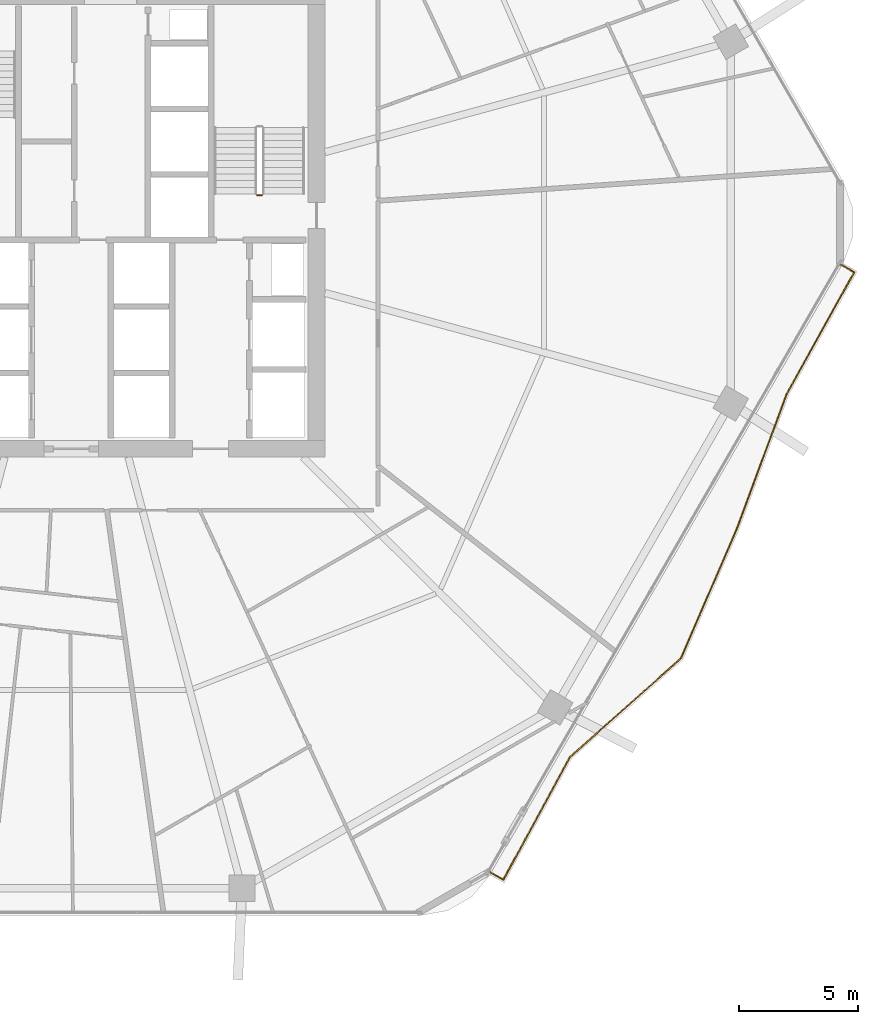
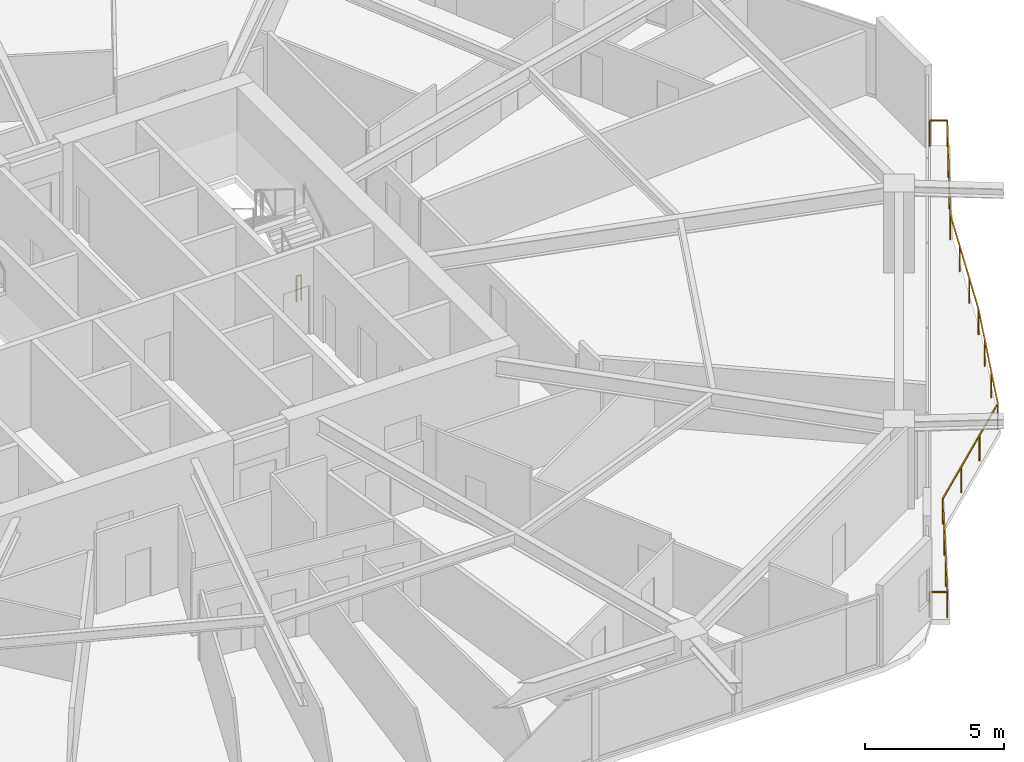
# One storey, part 31 of 33: 2 railings.
"""IFC4 building model written with IfcOpenShell, lengths in metres."""

from ifc_helpers import new_model, si_unit, direction, frame, origin, origin_2d, place, context, subcontext, project, spatial, rectangle, extrude, material, type_object, element, save


model = new_model("IFC4")

# Units and contexts
model_context = context("Model", 3, precision=1e-05, world=origin(), true_north=direction((0.0, 1.0)))
body_context = subcontext(model_context, "Body", "Model", "MODEL_VIEW")
ifc_project = project(units=[si_unit("LENGTHUNIT", "METRE"), si_unit("AREAUNIT", "SQUARE_METRE"), si_unit("VOLUMEUNIT", "CUBIC_METRE"), si_unit("PLANEANGLEUNIT", "RADIAN"), si_unit("MASSUNIT", "GRAM", prefix="KILO")], contexts=[model_context])

# Site, building, storey
site_placement = place(None, origin())
site = spatial("IfcSite", under=ifc_project, at=site_placement, CompositionType="ELEMENT")
building_placement = place(site_placement, origin())
building = spatial("IfcBuilding", under=site, at=building_placement, Name="Zuhravey Tower", CompositionType="ELEMENT")
storey_placement = place(building_placement, frame((0.0, 0.0, 96.199951171875)))
storey = spatial("IfcBuildingStorey", under=building, at=storey_placement, Name="L23", CompositionType="ELEMENT", Elevation=96.199951171875)

# Railings
ifc_material_1 = material(Name="Stainless steel 316 and laminated glass", Category="steel")
railing_type_1 = type_object("IfcRailingType", Name="Balcony & Terrace Guardrail 1150", PredefinedType="BALUSTRADE", material=ifc_material_1)
railing_1_placement = place(storey_placement, frame((68.5166015625, 30.2333984375, 0.0)))
element("IfcRailing", 1, at=railing_1_placement, inside=storey, type_object=railing_type_1, Name="L23 Face 6 Wave Balcony Guardrail GR1", PredefinedType="BALUSTRADE", context=body_context, shape_type="SweptSolid", body=[
    extrude(rectangle(XDim=0.048095703125, YDim=0.048095703125, at=origin_2d()), frame((0.001708984375, -0.0009765625, 1.1259765625), z_axis=(0.866033512162, -0.499985955615, 0.0), x_axis=(0.499985955615, 0.866033512162, 0.0)), (0.0, 0.0, 1.0), 0.6376953125),
    extrude(rectangle(XDim=0.048095703125, YDim=0.048095703125, at=origin_2d()), frame((0.5546875, -0.322509765625, 1.1259765625), z_axis=(-0.485217057802, -0.874393736722, 0.0), x_axis=(0.874393736722, -0.485217057802, 0.0)), (0.0, 0.0, 1.0), 5.837646484375),
    extrude(rectangle(XDim=0.048095703125, YDim=0.048095703125, at=origin_2d()), frame((-2.279541015625, -5.4306640625, 1.1259765625), z_axis=(-0.346805985574, -0.937936889332, 0.0), x_axis=(0.937936889332, -0.346805985574, 0.0)), (0.0, 0.0, 1.0), 6.0185546875),
    extrude(rectangle(XDim=0.048095703125, YDim=0.048095703125, at=origin_2d()), frame((-4.3681640625, -11.079345703125, 1.1259765625), z_axis=(-0.396172552794, -0.91817607702, 0.0), x_axis=(0.91817607702, -0.396172552794, 0.0)), (0.0, 0.0, 1.0), 5.94287109375),
    extrude(rectangle(XDim=0.048095703125, YDim=0.048095703125, at=origin_2d()), frame((-6.724853515625, -16.538818359375, 1.1259765625), z_axis=(-0.747260461792, -0.66453126506, 0.0), x_axis=(0.66453126506, -0.747260461792, 0.0)), (0.0, 0.0, 1.0), 6.240478515625),
    extrude(rectangle(XDim=0.048095703125, YDim=0.048095703125, at=origin_2d()), frame((-11.390625, -20.68896484375, 1.1259765625), z_axis=(-0.476525198518, -0.879160813035, 0.0), x_axis=(0.879160813035, -0.476525198518, 0.0)), (0.0, 0.0, 1.0), 5.84423828125),
    extrude(rectangle(XDim=0.048095703125, YDim=0.048095703125, at=origin_2d()), frame((-14.17822265625, -25.827880859375, 1.1259765625), z_axis=(-0.866089912433, 0.499888251095, 0.0), x_axis=(-0.499888251095, -0.866089912433, 0.0)), (0.0, 0.0, 1.0), 0.63330078125),
    extrude(rectangle(XDim=0.0419921875, YDim=0.0419921875, at=origin_2d()), origin(), (0.0, 0.0, 1.0), 1.099853515625),
    extrude(rectangle(XDim=0.0419921875, YDim=0.0419921875, at=origin_2d()), frame((0.5556640625, -0.32080078125, 0.0)), (0.0, 0.0, 1.0), 1.099853515625),
    extrude(rectangle(XDim=0.0419921875, YDim=0.0419921875, at=origin_2d()), frame((-0.38916015625, -2.0234375, 0.0)), (0.0, 0.0, 1.0), 1.099853515625),
    extrude(rectangle(XDim=0.0419921875, YDim=0.0419921875, at=origin_2d()), frame((-1.333984375, -3.72607421875, 0.0)), (0.0, 0.0, 1.0), 1.099853515625),
    extrude(rectangle(XDim=0.0419921875, YDim=0.0419921875, at=origin_2d()), frame((-2.27880859375, -5.4287109375, 0.0)), (0.0, 0.0, 1.0), 1.099853515625),
    extrude(rectangle(XDim=0.0419921875, YDim=0.0419921875, at=origin_2d()), frame((-2.97509765625, -7.3115234375, 0.0)), (0.0, 0.0, 1.0), 1.099853515625),
    extrude(rectangle(XDim=0.0419921875, YDim=0.0419921875, at=origin_2d()), frame((-3.671142578125, -9.194580078125, 0.0)), (0.0, 0.0, 1.0), 1.099853515625),
    extrude(rectangle(XDim=0.0419921875, YDim=0.0419921875, at=origin_2d()), frame((-4.367431640625, -11.077392578125, 0.0)), (0.0, 0.0, 1.0), 1.099853515625),
    extrude(rectangle(XDim=0.0419921875, YDim=0.0419921875, at=origin_2d()), frame((-5.15283203125, -12.8974609375, 0.0)), (0.0, 0.0, 1.0), 1.099853515625),
    extrude(rectangle(XDim=0.0419921875, YDim=0.0419921875, at=origin_2d()), frame((-5.93798828125, -14.717529296875, 0.0)), (0.0, 0.0, 1.0), 1.099853515625),
    extrude(rectangle(XDim=0.0419921875, YDim=0.0419921875, at=origin_2d()), frame((-6.723388671875, -16.53759765625, 0.0)), (0.0, 0.0, 1.0), 1.099853515625),
    extrude(rectangle(XDim=0.0419921875, YDim=0.0419921875, at=origin_2d()), frame((-8.27880859375, -17.9208984375, 0.0)), (0.0, 0.0, 1.0), 1.099853515625),
    extrude(rectangle(XDim=0.0419921875, YDim=0.0419921875, at=origin_2d()), frame((-9.834228515625, -19.303955078125, 0.0)), (0.0, 0.0, 1.0), 1.099853515625),
    extrude(rectangle(XDim=0.0419921875, YDim=0.0419921875, at=origin_2d()), frame((-11.3896484375, -20.687255859375, 0.0)), (0.0, 0.0, 1.0), 1.099853515625),
    extrude(rectangle(XDim=0.0419921875, YDim=0.0419921875, at=origin_2d()), frame((-12.318603515625, -22.401123046875, 0.0)), (0.0, 0.0, 1.0), 1.099853515625),
    extrude(rectangle(XDim=0.0419921875, YDim=0.0419921875, at=origin_2d()), frame((-13.24755859375, -24.114990234375, 0.0)), (0.0, 0.0, 1.0), 1.099853515625),
    extrude(rectangle(XDim=0.0419921875, YDim=0.0419921875, at=origin_2d()), frame((-14.176513671875, -25.828857421875, 0.0)), (0.0, 0.0, 1.0), 1.099853515625),
    extrude(rectangle(XDim=0.0419921875, YDim=0.0419921875, at=origin_2d()), frame((-14.728515625, -25.51025390625, 0.0)), (0.0, 0.0, 1.0), 1.099853515625),
])
ifc_material_2 = material(Name="Painted tubular steel", Category="steel")
railing_type_2 = type_object("IfcRailingType", Name="Stair Well Guardrail 1150", PredefinedType="GUARDRAIL", material=ifc_material_2)
railing_2_placement = place(storey_placement, frame((44.199951171875, 33.14990234375, 0.0)))
element("IfcRailing", 2, at=railing_2_placement, inside=storey, type_object=railing_type_2, Name="L23 ST2 stair guard 4", PredefinedType="GUARDRAIL", context=body_context, shape_type="SweptSolid", body=[
    extrude(rectangle(XDim=0.048095703125, YDim=0.048095703125, at=origin_2d()), frame((-0.001953125, 0.0, 1.1259765625), z_axis=(-1.0, 0.0, 0.0), x_axis=(0.0, -1.0, 0.0)), (0.0, 0.0, 1.0), 0.196044921875),
    extrude(rectangle(XDim=0.0419921875, YDim=0.0419921875, at=origin_2d()), origin(), (0.0, 0.0, 1.0), 1.099853515625),
    extrude(rectangle(XDim=0.0419921875, YDim=0.0419921875, at=origin_2d()), frame((-0.199951171875, 0.0, 0.0)), (0.0, 0.0, 1.0), 1.099853515625),
])

save(model, "model.ifc")
